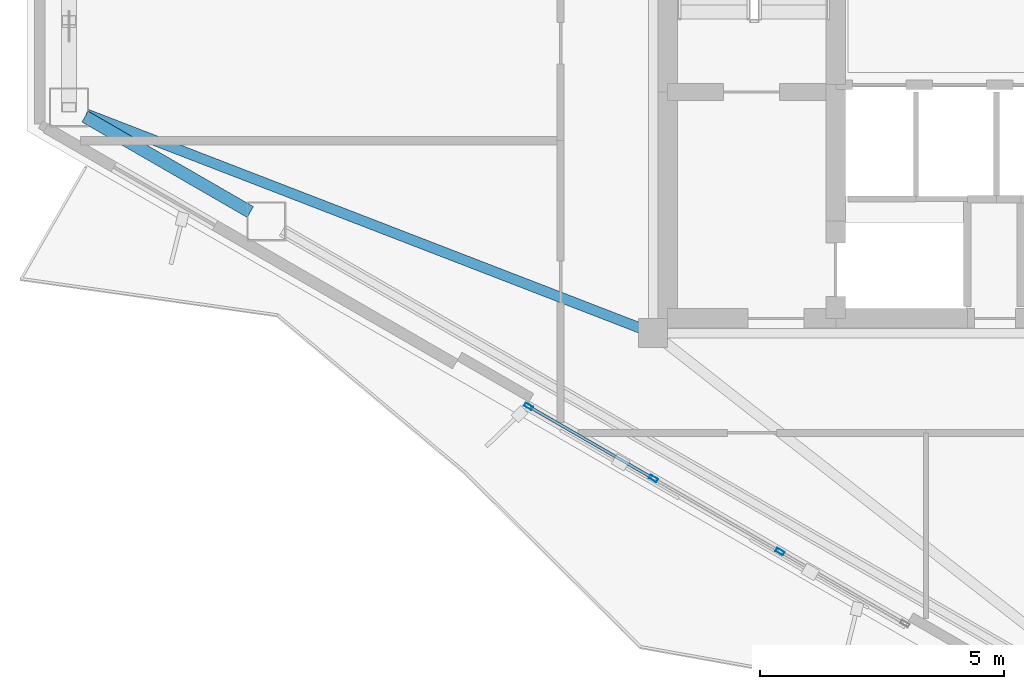
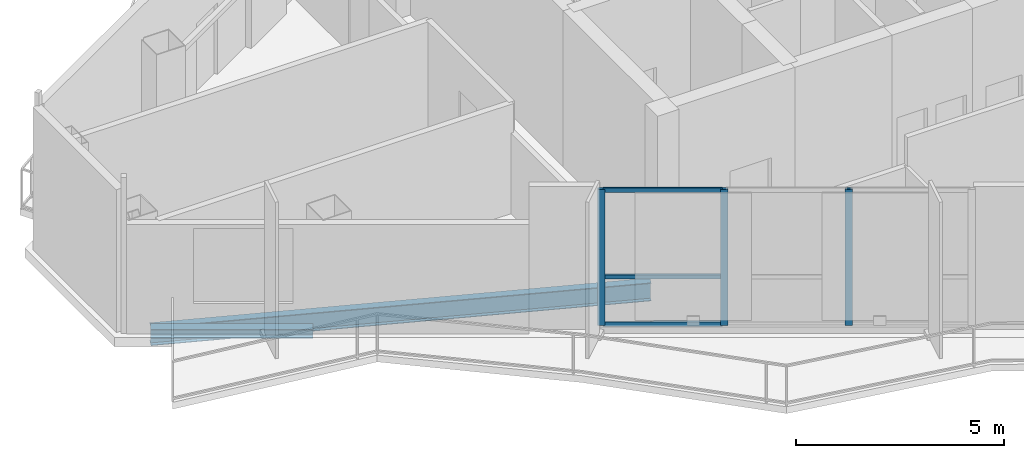
# One storey, part 2 of 15: 6 members, 2 beams, 1 element without a shape of its own.
"""IFC4 building model written with IfcOpenShell, lengths in metres."""

from ifc_helpers import new_model, si_unit, direction, frame, origin, origin_2d, place, context, subcontext, project, spatial, hollow_rectangle, i_section, extrude, material, layer, layer_set, material_profile, profile_set, type_object, element, aggregate, save


model = new_model("IFC4")

# Units and contexts
model_context = context("Model", 3, precision=1e-05, world=origin(), true_north=direction((0.0, 1.0)))
body_context = subcontext(model_context, "Body", "Model", "MODEL_VIEW")
ifc_project = project(units=[si_unit("LENGTHUNIT", "METRE"), si_unit("AREAUNIT", "SQUARE_METRE"), si_unit("VOLUMEUNIT", "CUBIC_METRE"), si_unit("PLANEANGLEUNIT", "RADIAN"), si_unit("MASSUNIT", "GRAM", prefix="KILO")], contexts=[model_context])

# Site, building, storey
site_placement = place(None, origin())
site = spatial("IfcSite", under=ifc_project, at=site_placement, CompositionType="ELEMENT")
building_placement = place(site_placement, origin())
building = spatial("IfcBuilding", under=site, at=building_placement, Name="Mersakhor Tower and Convention Hall", CompositionType="ELEMENT")
storey_placement = place(building_placement, frame((0.0, 0.0, 218.39990234375)))
storey = spatial("IfcBuildingStorey", under=building, at=storey_placement, Name="L61", CompositionType="ELEMENT", Elevation=218.39990234375)

# Beams
ifc_material_1 = material(Name="Steel S355", Category="steel")
ifc_material_profile_1 = material_profile(ifc_material_1, i_section(OverallWidth=0.2099609375, OverallDepth=0.53662109375, WebThickness=0.0107421875, FlangeThickness=0.017333984375, at=origin_2d()), Name="UB 533x210x101")
ifc_profile_set_1 = profile_set([ifc_material_profile_1], Name="Steel S355")
beam_type_1 = type_object("IfcBeamType", Name="BM-FB-533", PredefinedType="BEAM", material=ifc_profile_set_1)
beam_1_placement = place(storey_placement, frame((21.638916015625, 20.55078125, -0.548095703125), z_axis=(-0.932761425449, 0.36049427623, 0.0), x_axis=(-0.36049427623, -0.932761425449, 0.0)))
element("IfcBeam", 1, at=beam_1_placement, inside=storey, type_object=beam_type_1, Name="L61 Primary Floor Girder FG-6", PredefinedType="BEAM", context=body_context, shape_type="SweptSolid", body=[
    extrude(i_section(OverallWidth=0.2099609375, OverallDepth=0.53662109375, WebThickness=0.0107421875, FlangeThickness=0.017333984375, at=origin_2d()), origin(), (0.0, 0.0, 1.0), 12.197021484375),
])
ifc_material_2 = material(Name="Steel S355", Category="steel")
ifc_material_profile_2 = material_profile(ifc_material_2, i_section(OverallWidth=0.25634765625, OverallDepth=0.26025390625, WebThickness=0.01025390625, FlangeThickness=0.017333984375, at=origin_2d()), Name="UC 254x254x89")
ifc_profile_set_2 = profile_set([ifc_material_profile_2], Name="Steel S355")
beam_type_2 = type_object("IfcBeamType", Name="BM-SPD-UC254", PredefinedType="SPANDREL", material=ifc_profile_set_2)
beam_2_placement = place(storey_placement, frame((13.630615234375, 22.93505859375, -0.409912109375), z_axis=(-0.866007153761, 0.500031608635, 0.0), x_axis=(-0.500031608635, -0.866007153761, 0.0)))
element("IfcBeam", 2, at=beam_2_placement, inside=storey, type_object=beam_type_2, Name="L61 Perimeter Spandrel Beam SPB-11", PredefinedType="SPANDREL", context=body_context, shape_type="SweptSolid", body=[
    extrude(i_section(OverallWidth=0.25634765625, OverallDepth=0.26025390625, WebThickness=0.01025390625, FlangeThickness=0.017333984375, at=origin_2d()), origin(), (0.0, 0.0, 1.0), 3.919189453125),
])

# Curtain wall, members
ifc_material_3 = material(Name="Dark solar low-E aluminium curtain wall", Category="aluminium")
ifc_layer = layer(ifc_material_3, 0.199951171875)
ifc_layer_set = layer_set([ifc_layer], Name="Dark solar low-E aluminium curtain wall")
curtain_wall_type = type_object("IfcCurtainWallType", Name="CW-SYS-05", PredefinedType="USERDEFINED", material=ifc_layer_set)
curtain_wall_placement = place(storey_placement, origin())
curtain_wall = element("IfcCurtainWall", 3, at=curtain_wall_placement, inside=storey, type_object=curtain_wall_type, Name="L61 Dark-Glass Curtain Wall F3-B2", ObjectType="CURTAIN WALL", PredefinedType="USERDEFINED")
ifc_material_4 = material(Name="Anodised aluminium EN AW-6063 T6", Category="aluminium")
ifc_material_profile_3 = material_profile(ifc_material_4, hollow_rectangle(XDim=0.080078125, YDim=0.179931640625, WallThickness=0.008056640625, at=origin_2d()), Name="RHS 180x80x8")
ifc_profile_set_3 = profile_set([ifc_material_profile_3], Name="Anodised aluminium EN AW-6063 T6")
member_type_1 = type_object("IfcMemberType", Name="CWM-180x80", PredefinedType="MULLION", material=ifc_profile_set_3)
member_1_placement = place(storey_placement, frame((24.504638671875, 15.964111328125, 0.2001953125), z_axis=(0.0, 0.0, 1.0), x_axis=(-0.500007824483, -0.86602088627, 0.0)))
member_1 = element("IfcMember", 4, at=member_1_placement, type_object=member_type_1, Name="CW-05 mullion 2", PredefinedType="MULLION", context=body_context, shape_type="SweptSolid", body=[
    extrude(hollow_rectangle(XDim=0.080078125, YDim=0.179931640625, WallThickness=0.008056640625, at=origin_2d()), origin(), (0.0, 0.0, 1.0), 4.0),
])
member_2_placement = place(storey_placement, frame((21.906982421875, 17.464111328125, 0.2001953125), z_axis=(0.0, 0.0, 1.0), x_axis=(-0.500007824483, -0.86602088627, 0.0)))
member_2 = element("IfcMember", 5, at=member_2_placement, type_object=member_type_1, Name="CW-05 mullion 3", PredefinedType="MULLION", context=body_context, shape_type="SweptSolid", body=[
    extrude(hollow_rectangle(XDim=0.080078125, YDim=0.179931640625, WallThickness=0.008056640625, at=origin_2d()), origin(), (0.0, 0.0, 1.0), 4.0),
])
member_3_placement = place(storey_placement, frame((19.34375, 18.94384765625, 0.2001953125), z_axis=(0.0, 0.0, 1.0), x_axis=(-0.500007824483, -0.86602088627, 0.0)))
member_3 = element("IfcMember", 6, at=member_3_placement, type_object=member_type_1, Name="CW-05 mullion 4", PredefinedType="MULLION", context=body_context, shape_type="SweptSolid", body=[
    extrude(hollow_rectangle(XDim=0.080078125, YDim=0.179931640625, WallThickness=0.008056640625, at=origin_2d()), origin(), (0.0, 0.0, 1.0), 4.0),
])
ifc_material_5 = material(Name="Anodised aluminium EN AW-6063 T6", Category="aluminium")
ifc_material_profile_4 = material_profile(ifc_material_5, hollow_rectangle(XDim=0.06005859375, YDim=0.1201171875, WallThickness=0.0048828125, at=origin_2d()), Name="RHS 120x60x5")
ifc_profile_set_4 = profile_set([ifc_material_profile_4], Name="Anodised aluminium EN AW-6063 T6")
member_type_2 = type_object("IfcMemberType", Name="CWT-120x60", PredefinedType="USERDEFINED", material=ifc_profile_set_4)
member_4_placement = place(storey_placement, frame((21.872314453125, 17.484130859375, 0.22998046875), z_axis=(-0.86604864135, 0.499959749196, 0.0), x_axis=(-0.499959749196, -0.86604864135, 0.0)))
member_4 = element("IfcMember", 7, at=member_4_placement, type_object=member_type_2, Name="CW-05 transom 3.1", ObjectType="TRANSOM", PredefinedType="USERDEFINED", context=body_context, shape_type="SweptSolid", body=[
    extrude(hollow_rectangle(XDim=0.06005859375, YDim=0.1201171875, WallThickness=0.0048828125, at=origin_2d()), origin(), (0.0, 0.0, 1.0), 2.879638671875),
])
member_5_placement = place(storey_placement, frame((21.872314453125, 17.484130859375, 1.6201171875), z_axis=(-0.86604864135, 0.499959749196, 0.0), x_axis=(-0.499959749196, -0.86604864135, 0.0)))
member_5 = element("IfcMember", 8, at=member_5_placement, type_object=member_type_2, Name="CW-05 transom 3.2", ObjectType="TRANSOM", PredefinedType="USERDEFINED", context=body_context, shape_type="SweptSolid", body=[
    extrude(hollow_rectangle(XDim=0.06005859375, YDim=0.1201171875, WallThickness=0.0048828125, at=origin_2d()), origin(), (0.0, 0.0, 1.0), 2.879638671875),
])
member_6_placement = place(storey_placement, frame((21.872314453125, 17.484130859375, 4.170166015625), z_axis=(-0.86604864135, 0.499959749196, 0.0), x_axis=(-0.499959749196, -0.86604864135, 0.0)))
member_6 = element("IfcMember", 9, at=member_6_placement, type_object=member_type_2, Name="CW-05 transom 3.3", ObjectType="TRANSOM", PredefinedType="USERDEFINED", context=body_context, shape_type="SweptSolid", body=[
    extrude(hollow_rectangle(XDim=0.06005859375, YDim=0.1201171875, WallThickness=0.0048828125, at=origin_2d()), origin(), (0.0, 0.0, 1.0), 2.879638671875),
])
aggregate(curtain_wall, [member_1, member_2, member_3, member_4, member_5, member_6])

save(model, "model.ifc")
